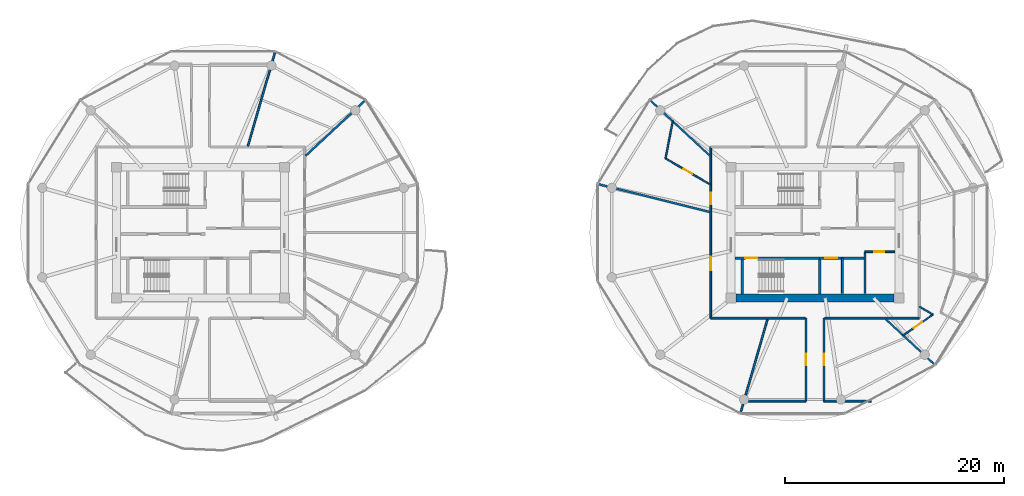
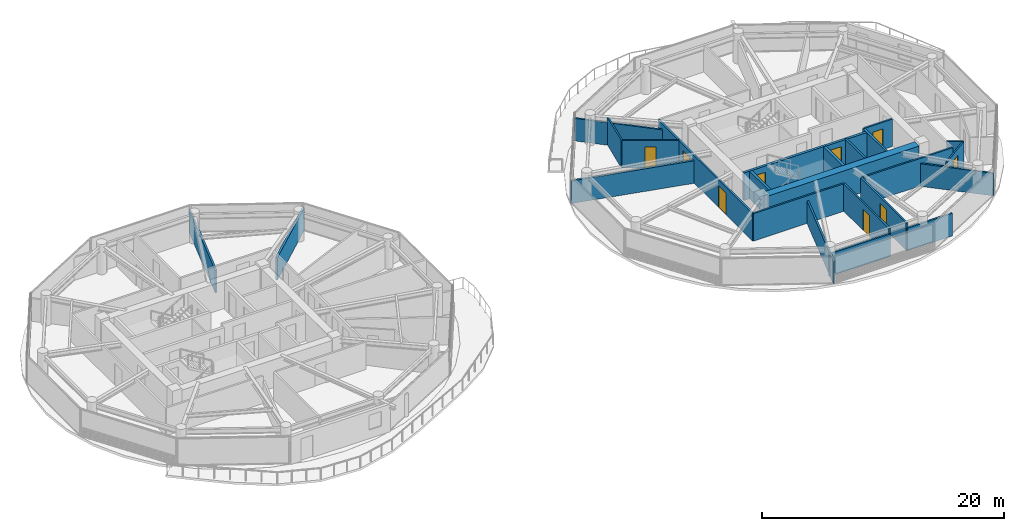
# One storey, part 15 of 24: 25 walls, 9 doors, 9 openings.
"""IFC4 building model written with IfcOpenShell, lengths in metres."""

from ifc_helpers import new_model, si_unit, direction, frame, frame_2d, origin, place, context, subcontext, project, spatial, rectangle, extrude, source, transform, mapped, material, layer, layer_set, type_object, type_shapes, element, fill, save


model = new_model("IFC4")

# Units and contexts
model_context = context("Model", 3, precision=1e-05, world=origin(), true_north=direction((0.0, 1.0)))
body_context = subcontext(model_context, "Body", "Model", "MODEL_VIEW")
ifc_project = project(units=[si_unit("LENGTHUNIT", "METRE"), si_unit("AREAUNIT", "SQUARE_METRE"), si_unit("VOLUMEUNIT", "CUBIC_METRE"), si_unit("PLANEANGLEUNIT", "RADIAN"), si_unit("MASSUNIT", "GRAM", prefix="KILO")], contexts=[model_context])

# Site, building, storey
site_placement = place(None, origin())
site = spatial("IfcSite", under=ifc_project, at=site_placement, CompositionType="ELEMENT")
building_placement = place(site_placement, origin())
building = spatial("IfcBuilding", under=site, at=building_placement, Name="Norrkilde Senior Care Towers", CompositionType="ELEMENT")
storey_placement = place(building_placement, frame((0.0, 0.0, 117.60009765625)))
storey = spatial("IfcBuildingStorey", under=building, at=storey_placement, Name="L36", CompositionType="ELEMENT", Elevation=117.60009765625)

# Walls
ifc_material_1 = material(Name="Concrete C60/75", Category="concrete")
ifc_layer_1 = layer(ifc_material_1, 0.719970703125)
ifc_layer_set_1 = layer_set([ifc_layer_1], Name="Concrete C60/75")
wall_type_1 = type_object("IfcWallType", Name="Core Shear Wall Z2 720", PredefinedType="SHEAR", material=ifc_layer_set_1)
shared_shape_1 = source(origin(), body_context, "Body", "SweptSolid", [
    extrude(rectangle(XDim=14.39990234375, YDim=0.719970703125, at=frame_2d((7.199951171875, 0.0))), origin(), (0.0, 0.0, 1.0), 2.789794921875),
])
type_shapes(wall_type_1, [shared_shape_1])
wall_1_placement = place(storey_placement, frame((35.199951171875, -5.949951171875, 0.0), z_axis=(0.0, 0.0, 1.0), x_axis=(-1.0, 0.0, 0.0)))
element("IfcWall", 1, at=wall_1_placement, inside=storey, type_object=wall_type_1, Name="L36 Core E South Shear Wall", PredefinedType="SHEAR", context=body_context, shape_type="MappedRepresentation", body=[
    mapped(shared_shape_1, transform((0.0, 0.0, 0.0), x_axis=(1.0, 0.0, 0.0), y_axis=(0.0, 1.0, 0.0), z_axis=(0.0, 0.0, 1.0), scale=1.0)),
])
ifc_material_2 = material(Name="Concrete C45/55", Category="concrete")
ifc_layer_2 = layer(ifc_material_2, 0.199951171875)
ifc_layer_set_2 = layer_set([ifc_layer_2], Name="Concrete C45/55")
wall_type_2 = type_object("IfcWallType", Name="Shaft Division and Plant Partition 200", PredefinedType="PARTITIONING", material=ifc_layer_set_2)
shared_shape_2 = source(origin(), body_context, "Body", "SweptSolid", [
    extrude(rectangle(XDim=3.800048828125, YDim=0.199951171875, at=frame_2d((1.89990234375, 0.0))), origin(), (0.0, 0.0, 1.0), 2.77490234375),
])
type_shapes(wall_type_2, [shared_shape_2])
wall_2_placement = place(storey_placement, frame((32.550048828125, -5.550048828125, 0.0), z_axis=(0.0, 0.0, 1.0), x_axis=(0.0, 1.0, 0.0)))
element("IfcWall", 2, at=wall_2_placement, inside=storey, type_object=wall_type_2, Name="WL-INT-L36-E-PKBE", PredefinedType="PARTITIONING", context=body_context, shape_type="MappedRepresentation", body=[
    mapped(shared_shape_2, transform((0.0, 0.0, 0.0), x_axis=(1.0, 0.0, 0.0), y_axis=(0.0, 1.0, 0.0), z_axis=(0.0, 0.0, 1.0), scale=1.0)),
])

# Wall, opening, door
ifc_layer_3 = layer(ifc_material_2, 0.239990234375)
ifc_layer_set_3 = layer_set([ifc_layer_3], Name="Concrete C45/55")
wall_type_3 = type_object("IfcWallType", Name="Lift and Plant Rated Enclosure Partition 240", PredefinedType="PARTITIONING", material=ifc_layer_set_3)
shared_shape_3 = source(origin(), body_context, "Body", "SweptSolid", [
    extrude(rectangle(XDim=4.130126953125, YDim=0.239990234375, at=frame_2d((2.06494140625, 0.0))), origin(), (0.0, 0.0, 1.0), 2.77490234375),
])
type_shapes(wall_type_3, [shared_shape_3])
wall_3_placement = place(storey_placement, frame((28.419921875, -2.330078125, 0.0), z_axis=(0.0, 0.0, 1.0), x_axis=(1.0, 0.0, 0.0)))
wall_3 = element("IfcWall", 3, at=wall_3_placement, inside=storey, type_object=wall_type_3, Name="WL-INT-L36-E-PKBN", PredefinedType="PARTITIONING", context=body_context, shape_type="MappedRepresentation", body=[
    mapped(shared_shape_3, transform((0.0, 0.0, 0.0), x_axis=(1.0, 0.0, 0.0), y_axis=(0.0, 1.0, 0.0), z_axis=(0.0, 0.0, 1.0), scale=1.0)),
])
opening_1_placement = place(wall_3_placement, frame((0.5, 0.0, 0.0)))
opening_1 = element("IfcOpeningElement", 4, at=opening_1_placement, cuts=wall_3, Name="Opening LD-01", PredefinedType="OPENING", context=body_context, shape_type="SweptSolid", body=[
    extrude(rectangle(XDim=1.10009765625, YDim=2.199951171875, at=frame_2d((0.550048828125, 1.10009765625))), frame((0.0, 0.1298828125, 0.0), z_axis=(0.0, -1.0, 0.0), x_axis=(1.0, 0.0, 0.0)), (0.0, 0.0, 1.0), 0.260009765625),
])
ifc_material_3 = material(Name="Stainless Steel", Category="steel")
door_type_1 = type_object("IfcDoorType", Name="Lift Landing Sliding Door 1100x2200", OperationType="NOTDEFINED", PredefinedType="DOOR", material=ifc_material_3)
shared_shape_4 = source(origin(), body_context, "Body", "SweptSolid", [
    extrude(rectangle(XDim=1.10009765625, YDim=2.199951171875, at=frame_2d((0.550048828125, 1.10009765625))), frame((0.0, 0.02490234375, 0.0), z_axis=(0.0, -1.0, 0.0), x_axis=(1.0, 0.0, 0.0)), (0.0, 0.0, 1.0), 0.050048828125),
])
type_shapes(door_type_1, [shared_shape_4])
door_1_placement = place(opening_1_placement, frame((1.10009765625, 0.0, 0.0), z_axis=(0.0, 0.0, 1.0), x_axis=(-1.0, 0.0, 0.0)))
door_1 = element("IfcDoor", 5, at=door_1_placement, inside=storey, type_object=door_type_1, Name="L36 Passenger Lift E3 Landing Door", OperationType="SLIDING_TO_LEFT", OverallHeight=2.199951171875, OverallWidth=1.10009765625, PredefinedType="DOOR", context=body_context, shape_type="MappedRepresentation", body=[
    mapped(shared_shape_4, transform((0.0, 0.0, 0.0), x_axis=(1.0, 0.0, 0.0), y_axis=(0.0, 1.0, 0.0), z_axis=(0.0, 0.0, 1.0), scale=1.0)),
])
fill(opening_1, door_1)

# Wall
ifc_layer_4 = layer(ifc_material_2, 0.179931640625)
ifc_layer_set_4 = layer_set([ifc_layer_4], Name="Concrete C45/55")
wall_type_4 = type_object("IfcWallType", Name="Hoistway Division Rated Partition 180", PredefinedType="PARTITIONING", material=ifc_layer_set_4)
shared_shape_5 = source(origin(), body_context, "Body", "SweptSolid", [
    extrude(rectangle(XDim=3.219970703125, YDim=0.179931640625, at=frame_2d((1.60986328125, 0.0))), origin(), (0.0, 0.0, 1.0), 2.77490234375),
])
type_shapes(wall_type_4, [shared_shape_5])
wall_4_placement = place(storey_placement, frame((30.5, -5.550048828125, 0.0), z_axis=(0.0, 0.0, 1.0), x_axis=(0.0, 1.0, 0.0)))
element("IfcWall", 6, at=wall_4_placement, inside=storey, type_object=wall_type_4, Name="WL-INT-L36-E-PL34", PredefinedType="PARTITIONING", context=body_context, shape_type="MappedRepresentation", body=[
    mapped(shared_shape_5, transform((0.0, 0.0, 0.0), x_axis=(1.0, 0.0, 0.0), y_axis=(0.0, 1.0, 0.0), z_axis=(0.0, 0.0, 1.0), scale=1.0)),
])

# Wall, opening, door
ifc_material_4 = material(Name="Gypsum Acoustic Board")
ifc_layer_5 = layer(ifc_material_4, 0.1650390625)
ifc_layer_set_5 = layer_set([ifc_layer_5], Name="Gypsum Acoustic Board")
wall_type_5 = type_object("IfcWallType", Name="Corridor Rated Partition 165", PredefinedType="PARTITIONING", material=ifc_layer_set_5)
shared_shape_6 = source(origin(), body_context, "Body", "SweptSolid", [
    extrude(rectangle(XDim=2.699951171875, YDim=0.1650390625, at=frame_2d((1.35009765625, 0.0))), origin(), (0.0, 0.0, 1.0), 2.77490234375),
])
wall_5_placement = place(storey_placement, frame((32.550048828125, -1.75, 0.0), z_axis=(0.0, 0.0, 1.0), x_axis=(1.0, 0.0, 0.0)))
wall_5 = element("IfcWall", 7, at=wall_5_placement, inside=storey, type_object=wall_type_5, Name="WL-INT-L36-E-CSN", PredefinedType="PARTITIONING", context=body_context, shape_type="MappedRepresentation", body=[
    mapped(shared_shape_6, transform((0.0, 0.0, 0.0), x_axis=(1.0, 0.0, 0.0), y_axis=(0.0, 1.0, 0.0), z_axis=(0.0, 0.0, 1.0), scale=1.0)),
])
opening_2_placement = place(wall_5_placement, frame((0.85009765625, 0.0, 0.0)))
opening_2 = element("IfcOpeningElement", 8, at=opening_2_placement, cuts=wall_5, Name="Opening D-12", PredefinedType="OPENING", context=body_context, shape_type="SweptSolid", body=[
    extrude(rectangle(XDim=0.925048828125, YDim=2.10009765625, at=frame_2d((0.46240234375, 1.050048828125))), frame((0.0, 0.092529296875, 0.0), z_axis=(0.0, -1.0, 0.0), x_axis=(1.0, 0.0, 0.0)), (0.0, 0.0, 1.0), 0.18505859375),
])
ifc_material_5 = material(Name="Galvanised Painted Steel", Category="steel")
door_type_2 = type_object("IfcDoorType", Name="Core Wet Room Rated Door 925x2100", OperationType="NOTDEFINED", PredefinedType="DOOR", material=ifc_material_5)
shared_shape_7 = source(origin(), body_context, "Body", "SweptSolid", [
    extrude(rectangle(XDim=0.925048828125, YDim=2.10009765625, at=frame_2d((0.46240234375, 1.050048828125))), frame((0.0, 0.02490234375, 0.0), z_axis=(0.0, -1.0, 0.0), x_axis=(1.0, 0.0, 0.0)), (0.0, 0.0, 1.0), 0.050048828125),
])
type_shapes(door_type_2, [shared_shape_7])
door_2_placement = place(opening_2_placement, origin())
door_2 = element("IfcDoor", 9, at=door_2_placement, inside=storey, type_object=door_type_2, Name="L36 Core Utility E Door", OperationType="SINGLE_SWING_LEFT", OverallHeight=2.10009765625, OverallWidth=0.925048828125, PredefinedType="DOOR", context=body_context, shape_type="MappedRepresentation", body=[
    mapped(shared_shape_7, transform((0.0, 0.0, 0.0), x_axis=(1.0, 0.0, 0.0), y_axis=(0.0, 1.0, 0.0), z_axis=(0.0, 0.0, 1.0), scale=1.0)),
])
fill(opening_2, door_2)

# Wall, openings, doors
shared_shape_8 = source(origin(), body_context, "Body", "SweptSolid", [
    extrude(rectangle(XDim=15.60009765625, YDim=0.1650390625, at=frame_2d((7.800048828125, 0.0))), origin(), (0.0, 0.0, 1.0), 2.77490234375),
])
wall_6_placement = place(storey_placement, frame((18.5, -7.800048828125, 0.0), z_axis=(0.0, 0.0, 1.0), x_axis=(0.0, 1.0, 0.0)))
wall_6 = element("IfcWall", 10, at=wall_6_placement, inside=storey, type_object=wall_type_5, Name="WL-INT-L36-E-CRW-W-0", PredefinedType="PARTITIONING", context=body_context, shape_type="MappedRepresentation", body=[
    mapped(shared_shape_8, transform((0.0, 0.0, 0.0), x_axis=(1.0, 0.0, 0.0), y_axis=(0.0, 1.0, 0.0), z_axis=(0.0, 0.0, 1.0), scale=1.0)),
])
opening_3_placement = place(wall_6_placement, frame((10.3828125, 0.0, 0.0)))
opening_3 = element("IfcOpeningElement", 11, at=opening_3_placement, cuts=wall_6, Name="Opening D-06", PredefinedType="OPENING", context=body_context, shape_type="SweptSolid", body=[
    extrude(rectangle(XDim=1.050048828125, YDim=2.14990234375, at=frame_2d((0.52490234375, 1.074951171875))), frame((0.0, 0.092529296875, 0.0), z_axis=(0.0, -1.0, 0.0), x_axis=(1.0, 0.0, 0.0)), (0.0, 0.0, 1.0), 0.18505859375),
])
opening_4_placement = place(wall_6_placement, frame((4.353271484375, 0.0, 0.0)))
opening_4 = element("IfcOpeningElement", 12, at=opening_4_placement, cuts=wall_6, Name="Opening D-05", PredefinedType="OPENING", context=body_context, shape_type="SweptSolid", body=[
    extrude(rectangle(XDim=1.25, YDim=2.199951171875, at=frame_2d((0.625, 1.10009765625))), frame((0.0, 0.092529296875, 0.0), z_axis=(0.0, -1.0, 0.0), x_axis=(1.0, 0.0, 0.0)), (0.0, 0.0, 1.0), 0.18505859375),
])
ifc_material_6 = material(Name="Nordic Ash Timber", Category="wood")
door_type_3 = type_object("IfcDoorType", Name="Care Bedroom Bariatric Door 1250x2200", OperationType="NOTDEFINED", PredefinedType="DOOR", material=ifc_material_6)
shared_shape_9 = source(origin(), body_context, "Body", "SweptSolid", [
    extrude(rectangle(XDim=1.25, YDim=2.199951171875, at=frame_2d((0.625, 1.10009765625))), frame((0.0, 0.02490234375, 0.0), z_axis=(0.0, -1.0, 0.0), x_axis=(1.0, 0.0, 0.0)), (0.0, 0.0, 1.0), 0.050048828125),
])
type_shapes(door_type_3, [shared_shape_9])
door_3_placement = place(opening_4_placement, frame((1.25, 0.0, 0.0), z_axis=(0.0, 0.0, 1.0), x_axis=(-1.0, 0.0, 0.0)))
door_3 = element("IfcDoor", 13, at=door_3_placement, inside=storey, type_object=door_type_3, Name="L36 Senior Wellness Library Lounge Door", OperationType="SINGLE_SWING_RIGHT", OverallHeight=2.199951171875, OverallWidth=1.25, PredefinedType="DOOR", context=body_context, shape_type="MappedRepresentation", body=[
    mapped(shared_shape_9, transform((0.0, 0.0, 0.0), x_axis=(1.0, 0.0, 0.0), y_axis=(0.0, 1.0, 0.0), z_axis=(0.0, 0.0, 1.0), scale=1.0)),
])
fill(opening_4, door_3)
door_type_4 = type_object("IfcDoorType", Name="Apartment Entrance Fire Door 1050x2150", OperationType="NOTDEFINED", PredefinedType="DOOR", material=ifc_material_6)
shared_shape_10 = source(origin(), body_context, "Body", "SweptSolid", [
    extrude(rectangle(XDim=1.050048828125, YDim=2.14990234375, at=frame_2d((0.52490234375, 1.074951171875))), frame((0.0, 0.02490234375, 0.0), z_axis=(0.0, -1.0, 0.0), x_axis=(1.0, 0.0, 0.0)), (0.0, 0.0, 1.0), 0.050048828125),
])
type_shapes(door_type_4, [shared_shape_10])
door_4_placement = place(opening_3_placement, frame((1.050048828125, 0.0, 0.0), z_axis=(0.0, 0.0, 1.0), x_axis=(-1.0, 0.0, 0.0)))
door_4 = element("IfcDoor", 14, at=door_4_placement, inside=storey, type_object=door_type_4, Name="L36 Studio 36A Entrance Door", OperationType="SINGLE_SWING_LEFT", OverallHeight=2.14990234375, OverallWidth=1.050048828125, PredefinedType="DOOR", context=body_context, shape_type="MappedRepresentation", body=[
    mapped(shared_shape_10, transform((0.0, 0.0, 0.0), x_axis=(1.0, 0.0, 0.0), y_axis=(0.0, 1.0, 0.0), z_axis=(0.0, 0.0, 1.0), scale=1.0)),
])
fill(opening_3, door_4)

# Walls
shared_shape_11 = source(origin(), body_context, "Body", "SweptSolid", [
    extrude(rectangle(XDim=8.60009765625, YDim=0.1650390625, at=frame_2d((4.300048828125, 0.0))), origin(), (0.0, 0.0, 1.0), 2.77490234375),
])
for number, where, z_axis, x_axis, name in (
    (15, (37.5, -7.800048828125, 0.0), (0.0, 0.0, 1.0), (-1.0, 0.0, 0.0), "WL-INT-L36-E-CRW-S-0"),
    (16, (27.10009765625, -7.800048828125, 0.0), (0.0, 0.0, 1.0), (-1.0, 0.0, 0.0), "WL-INT-L36-E-CRW-S-1"),
):
    element("IfcWall", number, at=place(storey_placement, frame(where, z_axis=z_axis, x_axis=x_axis)), inside=storey, type_object=wall_type_5, Name=name, PredefinedType="PARTITIONING", context=body_context, shape_type="MappedRepresentation", body=[
        mapped(shared_shape_11, transform((0.0, 0.0, 0.0), x_axis=(1.0, 0.0, 0.0), y_axis=(0.0, 1.0, 0.0), z_axis=(0.0, 0.0, 1.0), scale=1.0)),
    ])
shared_shape_12 = source(origin(), body_context, "Body", "SweptSolid", [
    extrude(rectangle(XDim=6.186767578125, YDim=0.1650390625, at=frame_2d((3.09326171875, 0.0))), origin(), (0.0, 0.0, 1.0), 2.27490234375),
])
wall_7_placement = place(storey_placement, frame((34.428955078125, -7.8798828125, 0.0), z_axis=(0.0, 0.0, 1.0), x_axis=(0.732501077882, -0.680765870841, 0.0)))
element("IfcWall", 17, at=wall_7_placement, inside=storey, type_object=wall_type_5, Name="WL-INT-L36-E-DEM-10-0", PredefinedType="PARTITIONING", context=body_context, shape_type="MappedRepresentation", body=[
    mapped(shared_shape_12, transform((0.0, 0.0, 0.0), x_axis=(1.0, 0.0, 0.0), y_axis=(0.0, 1.0, 0.0), z_axis=(0.0, 0.0, 1.0), scale=1.0)),
])
shared_shape_13 = source(origin(), body_context, "Body", "SweptSolid", [
    extrude(rectangle(XDim=8.9892578125, YDim=0.1650390625, at=frame_2d((4.49462890625, 0.0))), origin(), (0.0, 0.0, 1.0), 2.27490234375),
])
for number, where, z_axis, x_axis, name in (
    (18, (-23.677978515625, 7.8798828125, 0.0), (0.0, 0.0, 1.0), (0.27702323008, 0.960863221274, 0.0), "WL-INT-L36-W-DEM-02-0"),
    (19, (23.677978515625, -7.8798828125, 0.0), (0.0, 0.0, 1.0), (-0.27702323008, -0.960863221274, 0.0), "WL-INT-L36-E-DEM-08-0"),
):
    element("IfcWall", number, at=place(storey_placement, frame(where, z_axis=z_axis, x_axis=x_axis)), inside=storey, type_object=wall_type_5, Name=name, PredefinedType="PARTITIONING", context=body_context, shape_type="MappedRepresentation", body=[
        mapped(shared_shape_13, transform((0.0, 0.0, 0.0), x_axis=(1.0, 0.0, 0.0), y_axis=(0.0, 1.0, 0.0), z_axis=(0.0, 0.0, 1.0), scale=1.0)),
    ])
shared_shape_14 = source(origin(), body_context, "Body", "SweptSolid", [
    extrude(rectangle(XDim=7.482177734375, YDim=0.1650390625, at=frame_2d((3.7412109375, 0.0))), origin(), (0.0, 0.0, 1.0), 2.27490234375),
])
wall_8_placement = place(storey_placement, frame((18.419921875, 6.998046875, 0.0), z_axis=(0.0, 0.0, 1.0), x_axis=(-0.732508698043, 0.680757671489, 0.0)))
element("IfcWall", 20, at=wall_8_placement, inside=storey, type_object=wall_type_5, Name="WL-INT-L36-E-DEM-04-0", PredefinedType="PARTITIONING", context=body_context, shape_type="MappedRepresentation", body=[
    mapped(shared_shape_14, transform((0.0, 0.0, 0.0), x_axis=(1.0, 0.0, 0.0), y_axis=(0.0, 1.0, 0.0), z_axis=(0.0, 0.0, 1.0), scale=1.0)),
])

# Wall, opening, door
shared_shape_15 = source(origin(), body_context, "Body", "SweptSolid", [
    extrude(rectangle(XDim=7.56005859375, YDim=0.1650390625, at=frame_2d((3.780029296875, 0.0))), origin(), (0.0, 0.0, 1.0), 2.77490234375),
])
wall_9_placement = place(storey_placement, frame((27.179931640625, -15.360107421875, 0.0), z_axis=(0.0, 0.0, 1.0), x_axis=(0.0, 1.0, 0.0)))
wall_9 = element("IfcWall", 21, at=wall_9_placement, inside=storey, type_object=wall_type_5, Name="WL-INT-L36-E-PKW-SWL", PredefinedType="PARTITIONING", context=body_context, shape_type="MappedRepresentation", body=[
    mapped(shared_shape_15, transform((0.0, 0.0, 0.0), x_axis=(1.0, 0.0, 0.0), y_axis=(0.0, 1.0, 0.0), z_axis=(0.0, 0.0, 1.0), scale=1.0)),
])
opening_5_placement = place(wall_9_placement, frame((3.2548828125, 0.0, 0.0)))
opening_5 = element("IfcOpeningElement", 22, at=opening_5_placement, cuts=wall_9, Name="Opening D-06", PredefinedType="OPENING", context=body_context, shape_type="SweptSolid", body=[
    extrude(rectangle(XDim=1.050048828125, YDim=2.14990234375, at=frame_2d((0.52490234375, 1.074951171875))), frame((0.0, 0.092529296875, 0.0), z_axis=(0.0, -1.0, 0.0), x_axis=(1.0, 0.0, 0.0)), (0.0, 0.0, 1.0), 0.18505859375),
])
door_5_placement = place(opening_5_placement, frame((1.050048828125, 0.0, 0.0), z_axis=(0.0, 0.0, 1.0), x_axis=(-1.0, 0.0, 0.0)))
door_5 = element("IfcDoor", 23, at=door_5_placement, inside=storey, type_object=door_type_4, Name="L36 Reading Lounge SWL Door", OperationType="SINGLE_SWING_RIGHT", OverallHeight=2.14990234375, OverallWidth=1.050048828125, PredefinedType="DOOR", context=body_context, shape_type="MappedRepresentation", body=[
    mapped(shared_shape_10, transform((0.0, 0.0, 0.0), x_axis=(1.0, 0.0, 0.0), y_axis=(0.0, 1.0, 0.0), z_axis=(0.0, 0.0, 1.0), scale=1.0)),
])
fill(opening_5, door_5)

wall_10_placement = place(storey_placement, frame((28.820068359375, -15.360107421875, 0.0), z_axis=(0.0, 0.0, 1.0), x_axis=(0.0, 1.0, 0.0)))
wall_10 = element("IfcWall", 24, at=wall_10_placement, inside=storey, type_object=wall_type_5, Name="WL-INT-L36-E-PKW-SEL", PredefinedType="PARTITIONING", context=body_context, shape_type="MappedRepresentation", body=[
    mapped(shared_shape_15, transform((0.0, 0.0, 0.0), x_axis=(1.0, 0.0, 0.0), y_axis=(0.0, 1.0, 0.0), z_axis=(0.0, 0.0, 1.0), scale=1.0)),
])
opening_6_placement = place(wall_10_placement, frame((3.2548828125, 0.0, 0.0)))
opening_6 = element("IfcOpeningElement", 25, at=opening_6_placement, cuts=wall_10, Name="Opening D-06", PredefinedType="OPENING", context=body_context, shape_type="SweptSolid", body=[
    extrude(rectangle(XDim=1.050048828125, YDim=2.14990234375, at=frame_2d((0.52490234375, 1.074951171875))), frame((0.0, 0.092529296875, 0.0), z_axis=(0.0, -1.0, 0.0), x_axis=(1.0, 0.0, 0.0)), (0.0, 0.0, 1.0), 0.18505859375),
])
door_6_placement = place(opening_6_placement, frame((1.050048828125, 0.0, 0.0), z_axis=(0.0, 0.0, 1.0), x_axis=(-1.0, 0.0, 0.0)))
door_6 = element("IfcDoor", 26, at=door_6_placement, inside=storey, type_object=door_type_4, Name="L36 Reading Lounge SEL Door", OperationType="SINGLE_SWING_RIGHT", OverallHeight=2.14990234375, OverallWidth=1.050048828125, PredefinedType="DOOR", context=body_context, shape_type="MappedRepresentation", body=[
    mapped(shared_shape_10, transform((0.0, 0.0, 0.0), x_axis=(1.0, 0.0, 0.0), y_axis=(0.0, 1.0, 0.0), z_axis=(0.0, 0.0, 1.0), scale=1.0)),
])
fill(opening_6, door_6)

# Walls
shared_shape_16 = source(origin(), body_context, "Body", "SweptSolid", [
    extrude(rectangle(XDim=4.306884765625, YDim=0.1650390625, at=frame_2d((2.1533203125, 0.0))), origin(), (0.0, 0.0, 1.0), 2.27490234375),
])
wall_11_placement = place(storey_placement, frame((28.820068359375, -15.360107421875, 0.0), z_axis=(0.0, 0.0, 1.0), x_axis=(1.0, 0.0, 0.0)))
element("IfcWall", 27, at=wall_11_placement, inside=storey, type_object=wall_type_5, Name="WL-INT-L36-E-PKH-SEL-0", PredefinedType="PARTITIONING", context=body_context, shape_type="MappedRepresentation", body=[
    mapped(shared_shape_16, transform((0.0, 0.0, 0.0), x_axis=(1.0, 0.0, 0.0), y_axis=(0.0, 1.0, 0.0), z_axis=(0.0, 0.0, 1.0), scale=1.0)),
])
shared_shape_17 = source(origin(), body_context, "Body", "SweptSolid", [
    extrude(rectangle(XDim=5.81396484375, YDim=0.1650390625, at=frame_2d((2.906982421875, 0.0))), origin(), (0.0, 0.0, 1.0), 2.27490234375),
])
type_shapes(wall_type_5, [shared_shape_6, shared_shape_8, shared_shape_11, shared_shape_12, shared_shape_13, shared_shape_14, shared_shape_15, shared_shape_16, shared_shape_17])
wall_12_placement = place(storey_placement, frame((21.365966796875, -15.360107421875, 0.0), z_axis=(0.0, 0.0, 1.0), x_axis=(1.0, 0.0, 0.0)))
element("IfcWall", 28, at=wall_12_placement, inside=storey, type_object=wall_type_5, Name="WL-INT-L36-E-PKH-SWL-0", PredefinedType="PARTITIONING", context=body_context, shape_type="MappedRepresentation", body=[
    mapped(shared_shape_17, transform((0.0, 0.0, 0.0), x_axis=(1.0, 0.0, 0.0), y_axis=(0.0, 1.0, 0.0), z_axis=(0.0, 0.0, 1.0), scale=1.0)),
])
ifc_layer_6 = layer(ifc_material_4, 0.18994140625)
ifc_layer_set_6 = layer_set([ifc_layer_6], Name="Gypsum Acoustic Board")
wall_type_6 = type_object("IfcWallType", Name="Unit Demising Acoustic Wall 190", PredefinedType="PARTITIONING", material=ifc_layer_set_6)
shared_shape_18 = source(origin(), body_context, "Body", "SweptSolid", [
    extrude(rectangle(XDim=10.5556640625, YDim=0.18994140625, at=frame_2d((5.27783203125, 0.0))), origin(), (0.0, 0.0, 1.0), 2.27490234375),
])
wall_13_placement = place(storey_placement, frame((18.419921875, 1.875, 0.0), z_axis=(0.0, 0.0, 1.0), x_axis=(-0.970363857851, 0.241648470667, 0.0)))
element("IfcWall", 29, at=wall_13_placement, inside=storey, type_object=wall_type_6, Name="WL-INT-L36-E-DEM-05-0", PredefinedType="PARTITIONING", context=body_context, shape_type="MappedRepresentation", body=[
    mapped(shared_shape_18, transform((0.0, 0.0, 0.0), x_axis=(1.0, 0.0, 0.0), y_axis=(0.0, 1.0, 0.0), z_axis=(0.0, 0.0, 1.0), scale=1.0)),
])
shared_shape_19 = source(origin(), body_context, "Body", "SweptSolid", [
    extrude(rectangle(XDim=7.482177734375, YDim=0.18994140625, at=frame_2d((3.7412109375, 0.0))), origin(), (0.0, 0.0, 1.0), 2.27490234375),
])
type_shapes(wall_type_6, [shared_shape_18, shared_shape_19])
wall_14_placement = place(storey_placement, frame((-18.419921875, 6.998046875, 0.0), z_axis=(0.0, 0.0, 1.0), x_axis=(0.732508698043, 0.680757671489, 0.0)))
element("IfcWall", 30, at=wall_14_placement, inside=storey, type_object=wall_type_6, Name="WL-INT-L36-W-DEM-01-0", PredefinedType="PARTITIONING", context=body_context, shape_type="MappedRepresentation", body=[
    mapped(shared_shape_19, transform((0.0, 0.0, 0.0), x_axis=(1.0, 0.0, 0.0), y_axis=(0.0, 1.0, 0.0), z_axis=(0.0, 0.0, 1.0), scale=1.0)),
])
ifc_layer_7 = layer(ifc_material_4, 0.139892578125)
ifc_layer_set_7 = layer_set([ifc_layer_7], Name="Gypsum Acoustic Board")
wall_type_7 = type_object("IfcWallType", Name="En-suite Wet Room Wall 140", PredefinedType="PARTITIONING", material=ifc_layer_set_7)
shared_shape_20 = source(origin(), body_context, "Body", "SweptSolid", [
    extrude(rectangle(XDim=1.407470703125, YDim=0.139892578125, at=frame_2d((0.70361328125, 0.0))), origin(), (0.0, 0.0, 1.0), 2.77490234375),
])
wall_15_placement = place(storey_placement, frame((37.530029296875, -6.761962890625, 0.0), z_axis=(0.0, 0.0, 1.0), x_axis=(0.863539718977, -0.504280828258, 0.0)))
element("IfcWall", 31, at=wall_15_placement, inside=storey, type_object=wall_type_7, Name="WL-INT-L36-E-UBTS-10", PredefinedType="PARTITIONING", context=body_context, shape_type="MappedRepresentation", body=[
    mapped(shared_shape_20, transform((0.0, 0.0, 0.0), x_axis=(1.0, 0.0, 0.0), y_axis=(0.0, 1.0, 0.0), z_axis=(0.0, 0.0, 1.0), scale=1.0)),
])

# Wall, opening, door
shared_shape_21 = source(origin(), body_context, "Body", "SweptSolid", [
    extrude(rectangle(XDim=3.346923828125, YDim=0.139892578125, at=frame_2d((1.67333984375, 0.0))), origin(), (0.0, 0.0, 1.0), 2.77490234375),
])
wall_16_placement = place(storey_placement, frame((38.745361328125, -7.4716796875, 0.0), z_axis=(0.0, 0.0, 1.0), x_axis=(-0.81705680263, -0.576557179537, 0.0)))
wall_16 = element("IfcWall", 32, at=wall_16_placement, inside=storey, type_object=wall_type_7, Name="WL-INT-L36-E-UBTF-10", PredefinedType="PARTITIONING", context=body_context, shape_type="MappedRepresentation", body=[
    mapped(shared_shape_21, transform((0.0, 0.0, 0.0), x_axis=(1.0, 0.0, 0.0), y_axis=(0.0, 1.0, 0.0), z_axis=(0.0, 0.0, 1.0), scale=1.0)),
])
opening_7_placement = place(wall_16_placement, frame((1.213623046875, 0.0, 0.0)))
opening_7 = element("IfcOpeningElement", 33, at=opening_7_placement, cuts=wall_16, Name="Opening D-08", PredefinedType="OPENING", context=body_context, shape_type="SweptSolid", body=[
    extrude(rectangle(XDim=0.919921875, YDim=2.10009765625, at=frame_2d((0.4599609375, 1.050048828125))), frame((0.0, 0.079833984375, 0.0), z_axis=(0.0, -1.0, 0.0), x_axis=(1.0, 0.0, 0.0)), (0.0, 0.0, 1.0), 0.159912109375),
])
door_type_5 = type_object("IfcDoorType", Name="Accessible Wet Room Door 920x2100", OperationType="NOTDEFINED", PredefinedType="DOOR", material=ifc_material_6)
shared_shape_22 = source(origin(), body_context, "Body", "SweptSolid", [
    extrude(rectangle(XDim=0.919921875, YDim=2.10009765625, at=frame_2d((0.4599609375, 1.050048828125))), frame((0.0, 0.02490234375, 0.0), z_axis=(0.0, -1.0, 0.0), x_axis=(1.0, 0.0, 0.0)), (0.0, 0.0, 1.0), 0.050048828125),
])
type_shapes(door_type_5, [shared_shape_22])
door_7_placement = place(opening_7_placement, origin())
door_7 = element("IfcDoor", 34, at=door_7_placement, inside=storey, type_object=door_type_5, Name="Apartment 36C Bathroom Door", OperationType="SINGLE_SWING_RIGHT", OverallHeight=2.10009765625, OverallWidth=0.919921875, PredefinedType="DOOR", context=body_context, shape_type="MappedRepresentation", body=[
    mapped(shared_shape_22, transform((0.0, 0.0, 0.0), x_axis=(1.0, 0.0, 0.0), y_axis=(0.0, 1.0, 0.0), z_axis=(0.0, 0.0, 1.0), scale=1.0)),
])
fill(opening_7, door_7)

ifc_layer_8 = layer(ifc_material_2, 0.239990234375)
ifc_layer_set_8 = layer_set([ifc_layer_8], Name="Concrete C45/55")
wall_type_8 = type_object("IfcWallType", Name="Shaft and Stair Enclosure Wall 240", PredefinedType="PARTITIONING", material=ifc_layer_set_8)
shared_shape_23 = source(origin(), body_context, "Body", "SweptSolid", [
    extrude(rectangle(XDim=7.830078125, YDim=0.239990234375, at=frame_2d((3.9150390625, 0.0))), origin(), (0.0, 0.0, 1.0), 2.789794921875),
])
wall_17_placement = place(storey_placement, frame((20.7099609375, -2.330078125, 0.0), z_axis=(0.0, 0.0, 1.0), x_axis=(1.0, 0.0, 0.0)))
wall_17 = element("IfcWall", 35, at=wall_17_placement, inside=storey, type_object=wall_type_8, Name="WL-INT-L36-E-ST2N", PredefinedType="PARTITIONING", context=body_context, shape_type="MappedRepresentation", body=[
    mapped(shared_shape_23, transform((0.0, 0.0, 0.0), x_axis=(1.0, 0.0, 0.0), y_axis=(0.0, 1.0, 0.0), z_axis=(0.0, 0.0, 1.0), scale=1.0)),
])
opening_8_placement = place(wall_17_placement, frame((0.949951171875, 0.0, 0.0)))
opening_8 = element("IfcOpeningElement", 36, at=opening_8_placement, cuts=wall_17, Name="Opening D-03", PredefinedType="OPENING", context=body_context, shape_type="SweptSolid", body=[
    extrude(rectangle(XDim=1.10009765625, YDim=2.14990234375, at=frame_2d((0.550048828125, 1.074951171875))), frame((0.0, 0.1298828125, 0.0), z_axis=(0.0, -1.0, 0.0), x_axis=(1.0, 0.0, 0.0)), (0.0, 0.0, 1.0), 0.260009765625),
])
door_type_6 = type_object("IfcDoorType", Name="Stairwell Protected Fire Door 1100x2150", OperationType="NOTDEFINED", PredefinedType="DOOR", material=ifc_material_5)
shared_shape_24 = source(origin(), body_context, "Body", "SweptSolid", [
    extrude(rectangle(XDim=1.10009765625, YDim=2.14990234375, at=frame_2d((0.550048828125, 1.074951171875))), frame((0.0, 0.02490234375, 0.0), z_axis=(0.0, -1.0, 0.0), x_axis=(1.0, 0.0, 0.0)), (0.0, 0.0, 1.0), 0.050048828125),
])
type_shapes(door_type_6, [shared_shape_24])
door_8_placement = place(opening_8_placement, frame((1.10009765625, 0.0, 0.0), z_axis=(0.0, 0.0, 1.0), x_axis=(-1.0, 0.0, 0.0)))
door_8 = element("IfcDoor", 37, at=door_8_placement, inside=storey, type_object=door_type_6, Name="L36 Stair E2 Fire Door", OperationType="SINGLE_SWING_RIGHT", OverallHeight=2.14990234375, OverallWidth=1.10009765625, PredefinedType="DOOR", context=body_context, shape_type="MappedRepresentation", body=[
    mapped(shared_shape_24, transform((0.0, 0.0, 0.0), x_axis=(1.0, 0.0, 0.0), y_axis=(0.0, 1.0, 0.0), z_axis=(0.0, 0.0, 1.0), scale=1.0)),
])
fill(opening_8, door_8)

# Walls
shared_shape_25 = source(origin(), body_context, "Body", "SweptSolid", [
    extrude(rectangle(XDim=3.14013671875, YDim=0.239990234375, at=frame_2d((1.570068359375, 0.0))), origin(), (0.0, 0.0, 1.0), 2.789794921875),
])
type_shapes(wall_type_8, [shared_shape_23, shared_shape_25])
for number, where, z_axis, x_axis, name in (
    (38, (21.3798828125, -5.590087890625, 0.0), (0.0, 0.0, 1.0), (0.0, 1.0, 0.0), "WL-INT-L36-E-ST2W"),
    (39, (28.419921875, -5.590087890625, 0.0), (0.0, 0.0, 1.0), (0.0, 1.0, 0.0), "WL-INT-L36-E-ST2E"),
):
    element("IfcWall", number, at=place(storey_placement, frame(where, z_axis=z_axis, x_axis=x_axis)), inside=storey, type_object=wall_type_8, Name=name, PredefinedType="PARTITIONING", context=body_context, shape_type="MappedRepresentation", body=[
        mapped(shared_shape_25, transform((0.0, 0.0, 0.0), x_axis=(1.0, 0.0, 0.0), y_axis=(0.0, 1.0, 0.0), z_axis=(0.0, 0.0, 1.0), scale=1.0)),
    ])

# Wall, opening, door
shared_shape_26 = source(origin(), body_context, "Body", "SweptSolid", [
    extrude(rectangle(XDim=4.7353515625, YDim=0.139892578125, at=frame_2d((2.36767578125, 0.0))), origin(), (0.0, 0.0, 1.0), 2.77490234375),
])
wall_18_placement = place(storey_placement, frame((18.469970703125, 4.36767578125, 0.0), z_axis=(0.0, 0.0, 1.0), x_axis=(-0.863537576642, 0.504284496814, 0.0)))
wall_18 = element("IfcWall", 40, at=wall_18_placement, inside=storey, type_object=wall_type_7, Name="WL-INT-L36-E-ES-04", PredefinedType="PARTITIONING", context=body_context, shape_type="MappedRepresentation", body=[
    mapped(shared_shape_26, transform((0.0, 0.0, 0.0), x_axis=(1.0, 0.0, 0.0), y_axis=(0.0, 1.0, 0.0), z_axis=(0.0, 0.0, 1.0), scale=1.0)),
])
opening_9_placement = place(wall_18_placement, frame((1.90771484375, 0.0, 0.0)))
opening_9 = element("IfcOpeningElement", 41, at=opening_9_placement, cuts=wall_18, Name="Opening D-08", PredefinedType="OPENING", context=body_context, shape_type="SweptSolid", body=[
    extrude(rectangle(XDim=0.919921875, YDim=2.10009765625, at=frame_2d((0.4599609375, 1.050048828125))), frame((0.0, 0.079833984375, 0.0), z_axis=(0.0, -1.0, 0.0), x_axis=(1.0, 0.0, 0.0)), (0.0, 0.0, 1.0), 0.159912109375),
])
door_9_placement = place(opening_9_placement, origin())
door_9 = element("IfcDoor", 42, at=door_9_placement, inside=storey, type_object=door_type_5, Name="L36 Studio 36A Bathroom Door", OperationType="SINGLE_SWING_RIGHT", OverallHeight=2.10009765625, OverallWidth=0.919921875, PredefinedType="DOOR", context=body_context, shape_type="MappedRepresentation", body=[
    mapped(shared_shape_22, transform((0.0, 0.0, 0.0), x_axis=(1.0, 0.0, 0.0), y_axis=(0.0, 1.0, 0.0), z_axis=(0.0, 0.0, 1.0), scale=1.0)),
])
fill(opening_9, door_9)

# Wall
shared_shape_27 = source(origin(), body_context, "Body", "SweptSolid", [
    extrude(rectangle(XDim=3.4990234375, YDim=0.139892578125, at=frame_2d((1.74951171875, 0.0))), origin(), (0.0, 0.0, 1.0), 2.77490234375),
])
type_shapes(wall_type_7, [shared_shape_20, shared_shape_21, shared_shape_26, shared_shape_27])
wall_19_placement = place(storey_placement, frame((14.380859375, 6.755615234375, 0.0), z_axis=(0.0, 0.0, 1.0), x_axis=(0.18957713629, 0.981865830649, 0.0)))
element("IfcWall", 43, at=wall_19_placement, inside=storey, type_object=wall_type_7, Name="WL-INT-L36-E-EF-04", PredefinedType="PARTITIONING", context=body_context, shape_type="MappedRepresentation", body=[
    mapped(shared_shape_27, transform((0.0, 0.0, 0.0), x_axis=(1.0, 0.0, 0.0), y_axis=(0.0, 1.0, 0.0), z_axis=(0.0, 0.0, 1.0), scale=1.0)),
])

save(model, "model.ifc")
